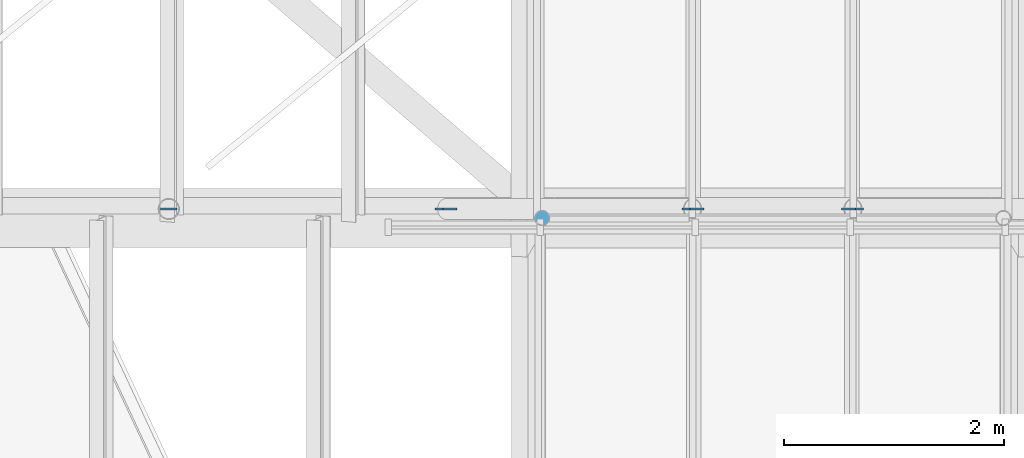
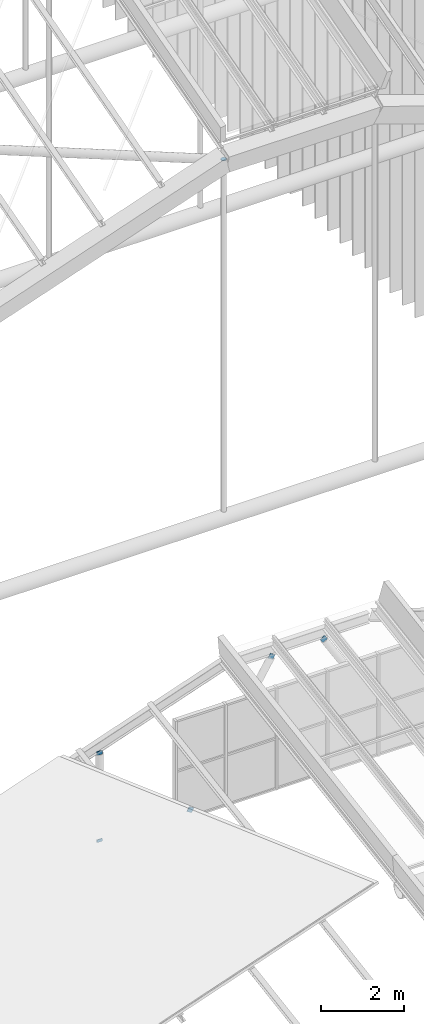
# One storey, part 88 of 126: 6 discrete accessories.
"""IFC4 building model written with IfcOpenShell, lengths in metres."""

import ifcopenshell
import ifcopenshell.guid

model = None  # the IFC model being written
_history = None  # IfcOwnerHistory: only IFC2X3 demands one
_inside = {}  # id of a spatial element -> (the spatial element, [elements in it])
_under = {}  # id of a project, library or spatial element -> (it, [spatial elements below it])
_declared = {}  # id of a project -> (the project, [libraries it declares])
_typed = {}  # id of a type object -> (the type object, [elements of that type])
_made_of = {}  # id of a material, layer set ... -> (it, [elements and type objects made of it])


def new_model(schema):
    """Start an empty IFC model of exactly this schema.

    Asked for "IFC4X3", IfcOpenShell would pick the latest addendum, in which some entities
    have other attributes; the version numbers below select the first issue.
    IFC2X3 requires an IfcOwnerHistory on every rooted entity: one is made here for all.
    """
    global model, _history
    if schema == "IFC4X3":
        model = ifcopenshell.file(schema_version=(4, 3, 0, 0))
    else:
        model = ifcopenshell.file(schema=schema)
    _inside.clear()
    _under.clear()
    _declared.clear()
    _typed.clear()
    _made_of.clear()
    _history = None
    if model.schema == "IFC2X3":
        org = make("IfcOrganization", Name="unknown")
        user = make(
            "IfcPersonAndOrganization",
            ThePerson=make("IfcPerson", FamilyName="unknown"),
            TheOrganization=org,
        )
        app = make(
            "IfcApplication",
            ApplicationDeveloper=org,
            Version="unknown",
            ApplicationFullName="unknown",
            ApplicationIdentifier="unknown",
        )
        _history = make(
            "IfcOwnerHistory",
            OwningUser=user,
            OwningApplication=app,
            ChangeAction="ADDED",
            CreationDate=0,
        )
    return model


def make(cls, **values):
    """One entity of the class cls with the attributes given. An attribute that is None is left unset."""
    return model.create_entity(
        cls, **{name: value for name, value in values.items() if value is not None}
    )


def rooted(cls, **values):
    """An entity with a GlobalId (a new one), such as an element, a storey or a relation."""
    return make(cls, GlobalId=ifcopenshell.guid.new(), OwnerHistory=_history, **values)


def si_unit(unit_type, name, prefix=None):
    """IfcSIUnit, for example si_unit("LENGTHUNIT", "METRE", prefix="MILLI")."""
    return make("IfcSIUnit", UnitType=unit_type, Prefix=prefix, Name=name)


def assignment(units):
    """IfcUnitAssignment: the units of a project."""
    return None if units is None else make("IfcUnitAssignment", Units=units)


def point(xyz):
    """IfcCartesianPoint."""
    return None if xyz is None else make("IfcCartesianPoint", Coordinates=xyz)


def direction(xyz):
    """IfcDirection."""
    return None if xyz is None else make("IfcDirection", DirectionRatios=xyz)


def frame(location, z_axis=None, x_axis=None):
    """IfcAxis2Placement3D, a coordinate frame: its origin and axes. An axis left out is left unset."""
    return make(
        "IfcAxis2Placement3D",
        Location=point(location),
        Axis=direction(z_axis),
        RefDirection=direction(x_axis),
    )


def frame_2d(location, x_axis=None):
    """IfcAxis2Placement2D, a coordinate frame in the plane: its origin and x axis."""
    return make(
        "IfcAxis2Placement2D", Location=point(location), RefDirection=direction(x_axis)
    )


def origin():
    """The frame at (0, 0, 0) with its axes left unset."""
    return frame((0.0, 0.0, 0.0))


def origin_2d():
    """The frame at (0, 0) in the plane with its x axis left unset."""
    return frame_2d((0.0, 0.0))


def place(relative_to, where):
    """IfcLocalPlacement: puts the frame where relative to a parent placement (None: the world)."""
    return make(
        "IfcLocalPlacement", PlacementRelTo=relative_to, RelativePlacement=where
    )


def context(
    kind, dimensions, precision=None, world=None, true_north=None, identifier=None
):
    """IfcGeometricRepresentationContext, for example the 3D "Model" context."""
    return make(
        "IfcGeometricRepresentationContext",
        ContextIdentifier=identifier,
        ContextType=kind,
        CoordinateSpaceDimension=dimensions,
        Precision=precision,
        WorldCoordinateSystem=world,
        TrueNorth=true_north,
    )


def subcontext(parent, identifier, kind, view, scale=None):
    """IfcGeometricRepresentationSubContext, for example "Body" below "Model"."""
    return make(
        "IfcGeometricRepresentationSubContext",
        ContextIdentifier=identifier,
        ContextType=kind,
        ParentContext=parent,
        TargetScale=scale,
        TargetView=view,
    )


def project(units=None, contexts=None):
    """IfcProject with its units and contexts."""
    return rooted(
        "IfcProject",
        Name="project",
        RepresentationContexts=contexts,
        UnitsInContext=assignment(units),
    )


def spatial(cls, under=None, at=None, **own):
    """A site, building, storey or space (cls), placed at a placement, below another one or the project."""
    s = rooted(cls, ObjectPlacement=at, **own)
    if under is not None:
        _under.setdefault(under.id(), (under, []))[1].append(s)
    return s


def profile(cls, at=None, kind="AREA", **sizes):
    """A parametric profile (cls). Its sizes go by their IFC names, for example OverallWidth=200.0."""
    return make(cls, ProfileType=kind, Position=at, **sizes)


def rectangle(**sizes):
    """IfcRectangleProfileDef."""
    return profile("IfcRectangleProfileDef", **sizes)


def circle(**sizes):
    """IfcCircleProfileDef."""
    return profile("IfcCircleProfileDef", **sizes)


def extrude(swept, where, along, depth):
    """IfcExtrudedAreaSolid: the profile swept, set in the frame where, extruded along a direction by depth."""
    return make(
        "IfcExtrudedAreaSolid",
        SweptArea=swept,
        Position=where,
        ExtrudedDirection=direction(along),
        Depth=depth,
    )


def shape(context_of_items, identifier, shape_type, items):
    """IfcShapeRepresentation: the items that make up one representation, for example the "Body"."""
    return make(
        "IfcShapeRepresentation",
        ContextOfItems=context_of_items,
        RepresentationIdentifier=identifier,
        RepresentationType=shape_type,
        Items=items,
    )


def material(Name=None, Category=None):
    """IfcMaterial."""
    return make("IfcMaterial", Name=Name, Category=Category)


def material_profile(
    of_material, cross_section, Name=None, Category=None, Priority=None
):
    """IfcMaterialProfile: a cross section and its material."""
    return make(
        "IfcMaterialProfile",
        Name=Name,
        Material=of_material,
        Profile=cross_section,
        Priority=Priority,
        Category=Category,
    )


def profile_set(profiles, Name=None, composite=None):
    """IfcMaterialProfileSet."""
    return make(
        "IfcMaterialProfileSet",
        Name=Name,
        MaterialProfiles=profiles,
        CompositeProfile=composite,
    )


def made_of(thing, what):
    """Note that an element or type object is made of a material, layer set ...; save() writes the relation."""
    if what is not None:
        _made_of.setdefault(what.id(), (what, []))[1].append(thing)
    return thing


def type_object(cls, material=None, **own):
    """A type object (cls), such as IfcWallType, which elements share."""
    return made_of(rooted(cls, **own), material)


def element(
    cls,
    number,
    at=None,
    inside=None,
    cuts=None,
    type_object=None,
    material=None,
    context=None,
    identifier="Body",
    shape_type=None,
    held_by="IfcProductDefinitionShape",
    body=None,
    shapes=None,
    **own,
):
    """One element of the class cls, such as IfcWall. Its Tag is "e" and its number.

    at: its placement. inside: the storey or other place that contains it. cuts: it is an
    opening in that element (IfcRelVoidsElement). A single representation is given by context,
    identifier, shape_type and body (its items); several are given by shapes. held_by: the class
    of the entity that holds the representations. save() writes the other relations.
    """
    e = rooted(cls, Tag="e%d" % number, ObjectPlacement=at, **own)
    if body is not None:
        shapes = [shape(context, identifier, shape_type, body)]
    if shapes is not None:
        e.Representation = make(held_by, Representations=shapes)
    if inside is not None:
        _inside.setdefault(inside.id(), (inside, []))[1].append(e)
    if cuts is not None:
        rooted(
            "IfcRelVoidsElement", RelatingBuildingElement=cuts, RelatedOpeningElement=e
        )
    if type_object is not None:
        _typed.setdefault(type_object.id(), (type_object, []))[1].append(e)
    return made_of(e, material)


def aggregate(whole, parts):
    """IfcRelAggregates: a whole, such as a stair, and the parts it consists of."""
    return rooted("IfcRelAggregates", RelatingObject=whole, RelatedObjects=parts)


def save(model, path):
    """Write the relations noted so far, then the file.

    IfcRelAggregates (storeys below a building ...), IfcRelContainedInSpatialStructure (elements
    in a storey), IfcRelDefinesByType, IfcRelAssociatesMaterial and IfcRelDeclares: one each for
    every whole, place, type object, material and project.
    """
    for whole, parts in _under.values():
        aggregate(whole, parts)
    for where, things in _inside.values():
        rooted(
            "IfcRelContainedInSpatialStructure",
            RelatedElements=things,
            RelatingStructure=where,
        )
    for kind, things in _typed.values():
        rooted("IfcRelDefinesByType", RelatedObjects=things, RelatingType=kind)
    for what, things in _made_of.values():
        rooted("IfcRelAssociatesMaterial", RelatedObjects=things, RelatingMaterial=what)
    for by, libraries in _declared.values():
        rooted("IfcRelDeclares", RelatingContext=by, RelatedDefinitions=libraries)
    model.write(path)


model = new_model("IFC4")

# Units and contexts
model_context = context("Model", 3, precision=1e-05, world=origin(), true_north=direction((0.0, 1.0)))
body_context = subcontext(model_context, "Body", "Model", "MODEL_VIEW")
ifc_project = project(units=[si_unit("LENGTHUNIT", "METRE"), si_unit("AREAUNIT", "SQUARE_METRE"), si_unit("VOLUMEUNIT", "CUBIC_METRE"), si_unit("PLANEANGLEUNIT", "RADIAN"), si_unit("MASSUNIT", "GRAM", prefix="KILO")], contexts=[model_context])

# Site, building, storey
site_placement = place(None, origin())
site = spatial("IfcSite", under=ifc_project, at=site_placement, CompositionType="ELEMENT")
building_placement = place(site_placement, origin())
building = spatial("IfcBuilding", under=site, at=building_placement, Name="Sava Quay Ferry Terminal", CompositionType="ELEMENT")
storey_placement = place(building_placement, frame((0.0, 0.0, 15.0)))
storey = spatial("IfcBuildingStorey", under=building, at=storey_placement, Name="L03", CompositionType="ELEMENT", Elevation=15.0)

# Discrete accessories
ifc_material_1 = material(Name="Steel S355", Category="steel")
ifc_material_profile_1 = material_profile(ifc_material_1, rectangle(XDim=0.14990234375, YDim=0.02001953125, at=origin_2d()), Name="Plate 150 x 20")
ifc_profile_set_1 = profile_set([ifc_material_profile_1], Name="Steel S355")
discrete_accessory_type_1 = type_object("IfcDiscreteAccessoryType", Name="Brace gusset plate 20 x 150", PredefinedType="BRACKET", material=ifc_profile_set_1)
for number, where, z_axis, x_axis, name in (
    (1, (60.0615234375, 50.482421875, 0.135986328125), (-0.517599216475, 0.0, -0.855623194581), (-0.855623194581, 0.0, 0.517599216475), "Arrivals hall gable truss strut gusset plate F"),
    (2, (62.238525390625, 50.482421875, 3.727294921875), (0.517599216475, 0.0, 0.855623194581), (0.855623194581, 0.0, -0.517599216475), "Arrivals hall gable truss strut gusset plate H"),
    (3, (63.761474609375, 50.482421875, 3.727294921875), (-0.517599216475, 0.0, 0.855623194581), (0.855623194581, 0.0, 0.517599216475), "Arrivals hall gable truss strut gusset plate H"),
):
    element("IfcDiscreteAccessory", number, at=place(storey_placement, frame(where, z_axis=z_axis, x_axis=x_axis)), inside=storey, type_object=discrete_accessory_type_1, Name=name, PredefinedType="BRACKET", context=body_context, shape_type="SweptSolid", body=[
        extrude(rectangle(XDim=0.14990234375, YDim=0.02001953125, at=origin_2d()), origin(), (0.0, 0.0, 1.0), 0.138671875),
    ])
discrete_accessory_1_placement = place(storey_placement, frame((57.5, 50.482421875, 0.094482421875), z_axis=(0.0, 0.0, -1.0), x_axis=(-1.0, 0.0, 0.0)))
element("IfcDiscreteAccessory", 4, at=discrete_accessory_1_placement, inside=storey, type_object=discrete_accessory_type_1, Name="Arrivals hall gable truss post gusset plate F", PredefinedType="BRACKET", context=body_context, shape_type="SweptSolid", body=[
    extrude(rectangle(XDim=0.14990234375, YDim=0.02001953125, at=origin_2d()), origin(), (0.0, 0.0, 1.0), 0.080078125),
])
discrete_accessory_2_placement = place(storey_placement, frame((57.5, 50.482421875, 2.568115234375), z_axis=(0.0, 0.0, 1.0), x_axis=(1.0, 0.0, 0.0)))
element("IfcDiscreteAccessory", 5, at=discrete_accessory_2_placement, inside=storey, type_object=discrete_accessory_type_1, Name="Arrivals hall gable truss post gusset plate H", PredefinedType="BRACKET", context=body_context, shape_type="SweptSolid", body=[
    extrude(rectangle(XDim=0.14990234375, YDim=0.02001953125, at=origin_2d()), origin(), (0.0, 0.0, 1.0), 0.113525390625),
])
ifc_material_2 = material(Name="Steel S355", Category="steel")
ifc_material_profile_2 = material_profile(ifc_material_2, circle(Radius=0.06982421875, at=origin_2d()), Name="Plate 139.7 dia x 20")
ifc_profile_set_2 = profile_set([ifc_material_profile_2], Name="Steel S355")
discrete_accessory_type_2 = type_object("IfcDiscreteAccessoryType", Name="Tube end plate 139.7", PredefinedType="ANCHORPLATE", material=ifc_profile_set_2)
discrete_accessory_3_placement = place(storey_placement, frame((60.89990234375, 50.39990234375, 18.897216796875), z_axis=(0.0, 0.0, 1.0), x_axis=(1.0, 0.0, 0.0)))
element("IfcDiscreteAccessory", 6, at=discrete_accessory_3_placement, inside=storey, type_object=discrete_accessory_type_2, Name="End plate Departure hall tie hanger R0 V2", PredefinedType="ANCHORPLATE", context=body_context, shape_type="SweptSolid", body=[
    extrude(circle(Radius=0.06982421875, at=origin_2d()), origin(), (0.0, 0.0, 1.0), 0.02001953125),
])

save(model, "model.ifc")
